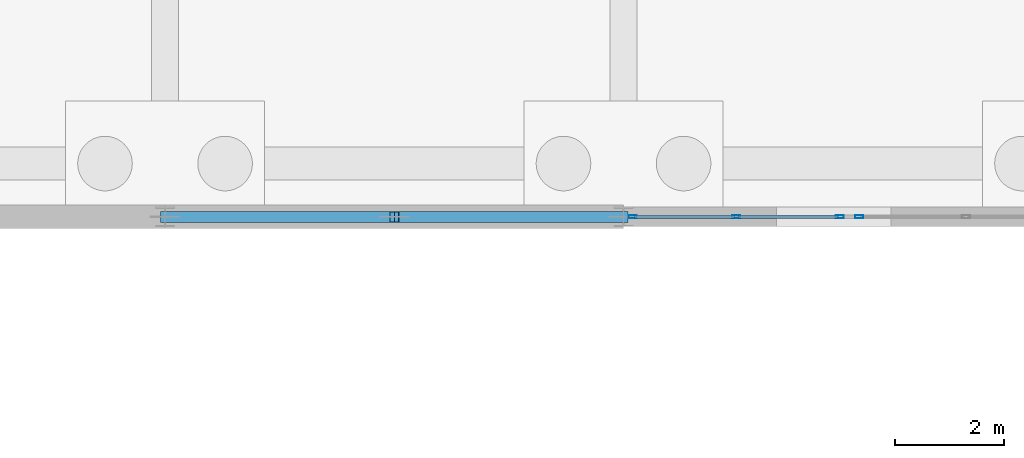
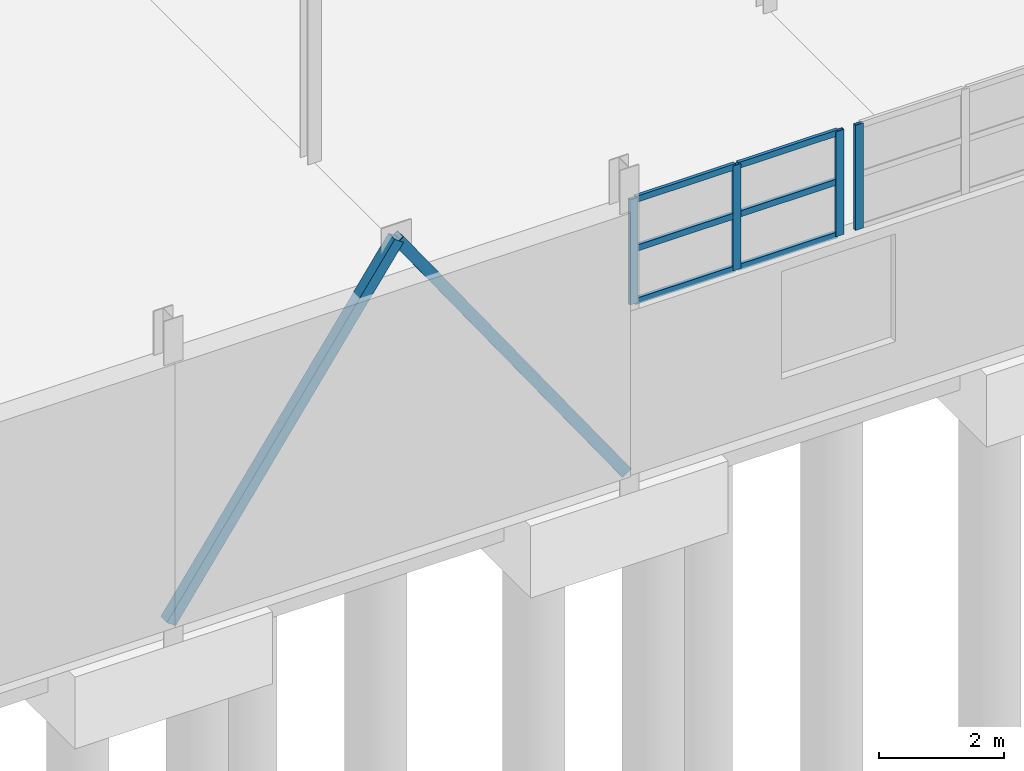
# One storey, part 71 of 139: 12 members, 2 elements without a shape of their own.
"""IFC4 building model written with IfcOpenShell, lengths in metres."""

from ifc_helpers import new_model, si_unit, direction, frame, origin, origin_2d, place, context, subcontext, project, spatial, hollow_rectangle, extrude, material, material_profile, profile_set, type_object, element, aggregate, save


model = new_model("IFC4")

# Units and contexts
model_context = context("Model", 3, precision=1e-05, world=origin(), true_north=direction((0.0, 1.0)))
body_context = subcontext(model_context, "Body", "Model", "MODEL_VIEW")
ifc_project = project(units=[si_unit("LENGTHUNIT", "METRE"), si_unit("AREAUNIT", "SQUARE_METRE"), si_unit("VOLUMEUNIT", "CUBIC_METRE"), si_unit("PLANEANGLEUNIT", "RADIAN"), si_unit("MASSUNIT", "GRAM", prefix="KILO")], contexts=[model_context])

# Site, building, storey
site_placement = place(None, origin())
site = spatial("IfcSite", under=ifc_project, at=site_placement, CompositionType="ELEMENT")
building_placement = place(site_placement, origin())
building = spatial("IfcBuilding", under=site, at=building_placement, Name="Kazenagashi Tramway Depot", CompositionType="ELEMENT")
storey_placement = place(building_placement, origin())
storey = spatial("IfcBuildingStorey", under=building, at=storey_placement, Name="L01", CompositionType="ELEMENT", Elevation=0.0)

# Members
ifc_material_1 = material(Name="Steel STKR490", Category="steel")
ifc_material_profile_1 = material_profile(ifc_material_1, hollow_rectangle(XDim=0.2, YDim=0.2, WallThickness=0.009, at=origin_2d()), Name="SHS-200x200x9")
ifc_profile_set_1 = profile_set([ifc_material_profile_1], Name="Steel STKR490")
member_type_1 = type_object("IfcMemberType", Name="BR-01", PredefinedType="BRACE", material=ifc_profile_set_1)
for number, where, z_axis, x_axis, name in (
    (1, (112.0, 70.0, 0.0), (0.573462344363, 0.0, 0.819231920519), (0.0, 1.0, 0.0), "Seismic Brace Member BR-01 MEM-1594"),
    (2, (120.4, 70.0, 0.0), (-0.573462344363, 0.0, 0.819231920519), (0.0, -1.0, 0.0), "Seismic Brace Member BR-01 MEM-1595"),
):
    element("IfcMember", number, at=place(storey_placement, frame(where, z_axis=z_axis, x_axis=x_axis)), inside=storey, type_object=member_type_1, Name=name, PredefinedType="BRACE", context=body_context, shape_type="SweptSolid", body=[
        extrude(hollow_rectangle(XDim=0.2, YDim=0.2, WallThickness=0.009, at=origin_2d()), origin(), (0.0, 0.0, 1.0), 7.323933),
    ])

# Curtain wall, members
ifc_material_2 = material(Name="Anodised Aluminium and Low-E Glazing", Category="aluminium")
curtain_wall_type_1 = type_object("IfcCurtainWallType", Name="CW-12", PredefinedType="USERDEFINED", material=ifc_material_2)
curtain_wall_1_placement = place(storey_placement, origin())
curtain_wall_1 = element("IfcCurtainWall", 3, at=curtain_wall_1_placement, inside=storey, type_object=curtain_wall_type_1, Name="Industrial Glazed Screen CW-12 CW-0034", ObjectType="GLAZED SCREEN", PredefinedType="USERDEFINED")
ifc_material_3 = material(Name="Anodised Aluminium", Category="aluminium")
ifc_material_profile_2 = material_profile(ifc_material_3, hollow_rectangle(XDim=0.06, YDim=0.15, WallThickness=0.004, at=origin_2d()), Name="RHS-150x60x4")
ifc_profile_set_2 = profile_set([ifc_material_profile_2], Name="Anodised Aluminium")
member_type_2 = type_object("IfcMemberType", Name="ML-01", PredefinedType="MULLION", material=ifc_profile_set_2)
member_1_placement = place(storey_placement, frame((120.57, 70.0, 3.2), z_axis=(0.0, 0.0, 1.0), x_axis=(0.0, 1.0, 0.0)))
member_1 = element("IfcMember", 4, at=member_1_placement, type_object=member_type_2, Name="CW-12 mullion 1", PredefinedType="MULLION", context=body_context, shape_type="SweptSolid", body=[
    extrude(hollow_rectangle(XDim=0.06, YDim=0.15, WallThickness=0.004, at=origin_2d()), origin(), (0.0, 0.0, 1.0), 2.047),
])
member_2_placement = place(storey_placement, frame((122.465, 70.0, 3.2), z_axis=(0.0, 0.0, 1.0), x_axis=(0.0, 1.0, 0.0)))
member_2 = element("IfcMember", 5, at=member_2_placement, type_object=member_type_2, Name="CW-12 mullion 2", PredefinedType="MULLION", context=body_context, shape_type="SweptSolid", body=[
    extrude(hollow_rectangle(XDim=0.06, YDim=0.15, WallThickness=0.004, at=origin_2d()), origin(), (0.0, 0.0, 1.0), 2.047),
])
member_3_placement = place(storey_placement, frame((124.36, 70.0, 3.2), z_axis=(0.0, 0.0, 1.0), x_axis=(0.0, 1.0, 0.0)))
member_3 = element("IfcMember", 6, at=member_3_placement, type_object=member_type_2, Name="CW-12 mullion 3", PredefinedType="MULLION", context=body_context, shape_type="SweptSolid", body=[
    extrude(hollow_rectangle(XDim=0.06, YDim=0.15, WallThickness=0.004, at=origin_2d()), origin(), (0.0, 0.0, 1.0), 2.047),
])

# Curtain wall, member
curtain_wall_type_2 = type_object("IfcCurtainWallType", Name="CW-13", PredefinedType="USERDEFINED", material=ifc_material_2)
curtain_wall_2_placement = place(storey_placement, origin())
curtain_wall_2 = element("IfcCurtainWall", 7, at=curtain_wall_2_placement, inside=storey, type_object=curtain_wall_type_2, Name="Industrial Glazed Screen CW-13 CW-0035", ObjectType="GLAZED SCREEN", PredefinedType="USERDEFINED")
member_4_placement = place(storey_placement, frame((124.72, 70.0, 3.2), z_axis=(0.0, 0.0, 1.0), x_axis=(0.0, 1.0, 0.0)))
member_4 = element("IfcMember", 8, at=member_4_placement, type_object=member_type_2, Name="CW-13 mullion 1", PredefinedType="MULLION", context=body_context, shape_type="SweptSolid", body=[
    extrude(hollow_rectangle(XDim=0.06, YDim=0.15, WallThickness=0.004, at=origin_2d()), origin(), (0.0, 0.0, 1.0), 2.047),
])
aggregate(curtain_wall_2, [member_4])

# Member
ifc_material_profile_3 = material_profile(ifc_material_3, hollow_rectangle(XDim=0.06, YDim=0.12, WallThickness=0.004, at=origin_2d()), Name="RHS-120x60x4")
ifc_profile_set_3 = profile_set([ifc_material_profile_3], Name="Anodised Aluminium")
member_type_3 = type_object("IfcMemberType", Name="TR-01", PredefinedType="USERDEFINED", material=ifc_profile_set_3)
member_5_placement = place(storey_placement, frame((120.6, 70.0, 3.23), z_axis=(1.0, 0.0, 0.0), x_axis=(0.0, 1.0, 0.0)))
member_5 = element("IfcMember", 9, at=member_5_placement, type_object=member_type_3, Name="CW-12 transom 1.1", ObjectType="TRANSOM", PredefinedType="USERDEFINED", context=body_context, shape_type="SweptSolid", body=[
    extrude(hollow_rectangle(XDim=0.06, YDim=0.12, WallThickness=0.004, at=origin_2d()), origin(), (0.0, 0.0, 1.0), 1.835),
])

member_6_placement = place(storey_placement, frame((120.6, 70.0, 4.264), z_axis=(1.0, 0.0, 0.0), x_axis=(0.0, 1.0, 0.0)))
member_6 = element("IfcMember", 10, at=member_6_placement, type_object=member_type_3, Name="CW-12 transom 1.2", ObjectType="TRANSOM", PredefinedType="USERDEFINED", context=body_context, shape_type="SweptSolid", body=[
    extrude(hollow_rectangle(XDim=0.06, YDim=0.12, WallThickness=0.004, at=origin_2d()), origin(), (0.0, 0.0, 1.0), 1.835),
])

member_7_placement = place(storey_placement, frame((120.6, 70.0, 5.217), z_axis=(1.0, 0.0, 0.0), x_axis=(0.0, 1.0, 0.0)))
member_7 = element("IfcMember", 11, at=member_7_placement, type_object=member_type_3, Name="CW-12 transom 1.3", ObjectType="TRANSOM", PredefinedType="USERDEFINED", context=body_context, shape_type="SweptSolid", body=[
    extrude(hollow_rectangle(XDim=0.06, YDim=0.12, WallThickness=0.004, at=origin_2d()), origin(), (0.0, 0.0, 1.0), 1.835),
])

member_8_placement = place(storey_placement, frame((122.495, 70.0, 3.23), z_axis=(1.0, 0.0, 0.0), x_axis=(0.0, 1.0, 0.0)))
member_8 = element("IfcMember", 12, at=member_8_placement, type_object=member_type_3, Name="CW-12 transom 2.1", ObjectType="TRANSOM", PredefinedType="USERDEFINED", context=body_context, shape_type="SweptSolid", body=[
    extrude(hollow_rectangle(XDim=0.06, YDim=0.12, WallThickness=0.004, at=origin_2d()), origin(), (0.0, 0.0, 1.0), 1.835),
])

member_9_placement = place(storey_placement, frame((122.495, 70.0, 4.264), z_axis=(1.0, 0.0, 0.0), x_axis=(0.0, 1.0, 0.0)))
member_9 = element("IfcMember", 13, at=member_9_placement, type_object=member_type_3, Name="CW-12 transom 2.2", ObjectType="TRANSOM", PredefinedType="USERDEFINED", context=body_context, shape_type="SweptSolid", body=[
    extrude(hollow_rectangle(XDim=0.06, YDim=0.12, WallThickness=0.004, at=origin_2d()), origin(), (0.0, 0.0, 1.0), 1.835),
])

member_10_placement = place(storey_placement, frame((122.495, 70.0, 5.217), z_axis=(1.0, 0.0, 0.0), x_axis=(0.0, 1.0, 0.0)))
member_10 = element("IfcMember", 14, at=member_10_placement, type_object=member_type_3, Name="CW-12 transom 2.3", ObjectType="TRANSOM", PredefinedType="USERDEFINED", context=body_context, shape_type="SweptSolid", body=[
    extrude(hollow_rectangle(XDim=0.06, YDim=0.12, WallThickness=0.004, at=origin_2d()), origin(), (0.0, 0.0, 1.0), 1.835),
])

aggregate(curtain_wall_1, [member_1, member_2, member_3, member_5, member_6, member_7, member_8, member_9, member_10])

save(model, "model.ifc")
